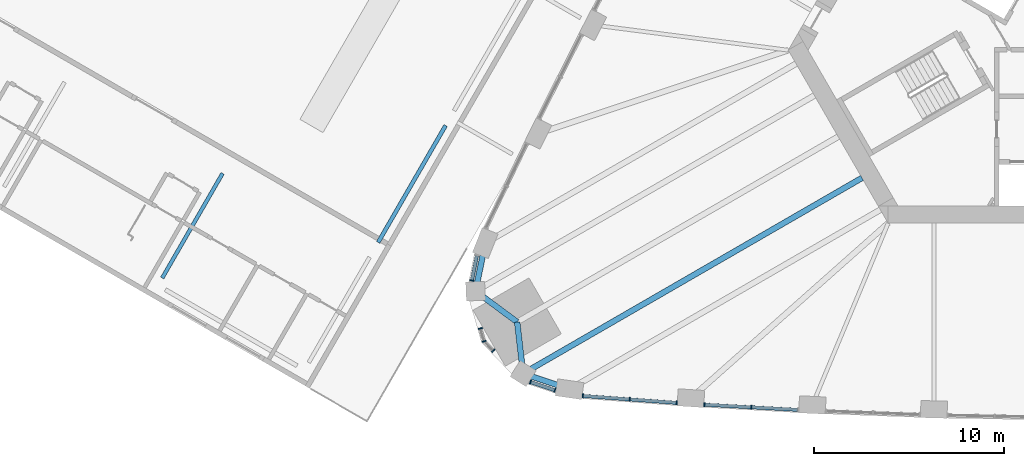
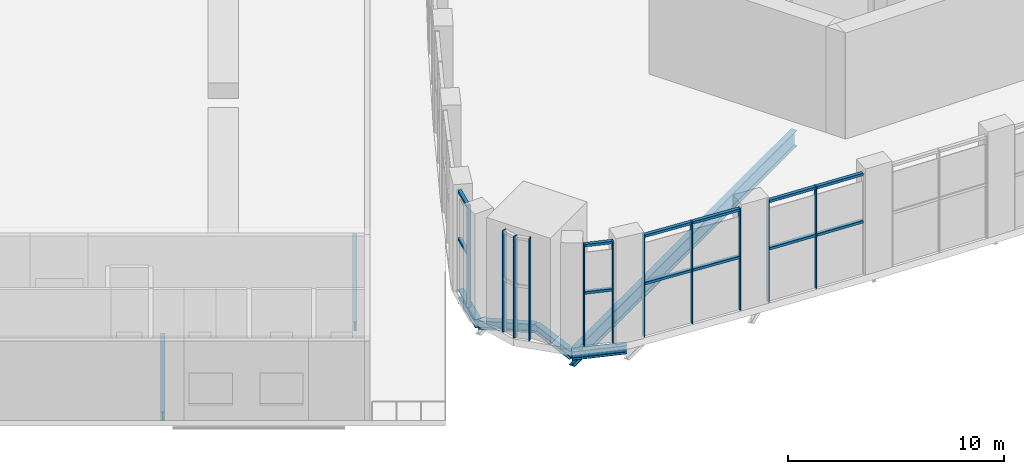
# One storey, part 2 of 41: 23 members, 7 beams, 2 elements without a shape of their own.
"""IFC4 building model written with IfcOpenShell, lengths in metres."""

from ifc_helpers import new_model, si_unit, direction, frame, origin, origin_2d, place, context, subcontext, project, spatial, rectangle, i_section, extrude, material, material_profile, profile_set, type_object, element, aggregate, save


model = new_model("IFC4")

# Units and contexts
model_context = context("Model", 3, precision=1e-05, world=origin(), true_north=direction((0.0, 1.0)))
body_context = subcontext(model_context, "Body", "Model", "MODEL_VIEW")
ifc_project = project(units=[si_unit("LENGTHUNIT", "METRE"), si_unit("AREAUNIT", "SQUARE_METRE"), si_unit("VOLUMEUNIT", "CUBIC_METRE"), si_unit("PLANEANGLEUNIT", "RADIAN"), si_unit("MASSUNIT", "GRAM", prefix="KILO")], contexts=[model_context])

# Site, building, storey
site_placement = place(None, origin())
site = spatial("IfcSite", under=ifc_project, at=site_placement, CompositionType="ELEMENT")
building_placement = place(site_placement, origin())
building = spatial("IfcBuilding", under=site, at=building_placement, Name="Mestral Congress Tower", CompositionType="ELEMENT")
storey_placement = place(building_placement, frame((0.0, 0.0, 21.60009765625)))
storey = spatial("IfcBuildingStorey", under=building, at=storey_placement, Name="L04", CompositionType="ELEMENT", Elevation=21.60009765625)

# Curtain wall, members
ifc_material_1 = material(Name="Clear low-emissivity double glazing", Category="glass")
curtain_wall_type = type_object("IfcCurtainWallType", Name="Facade arrival lobby curtain wall", PredefinedType="USERDEFINED", material=ifc_material_1)
placement = place(storey_placement, origin())
curtain_wall_1 = element("IfcCurtainWall", 1, at=placement, inside=storey, type_object=curtain_wall_type, Name="Facade arrival lobby curtain wall face 1", ObjectType="CURTAIN WALL", PredefinedType="USERDEFINED")
ifc_material_2 = material(Name="Anodised aluminium", Category="aluminium")
ifc_material_profile_1 = material_profile(ifc_material_2, rectangle(XDim=0.219970703125, YDim=0.06005859375, at=origin_2d()), Name="CW4 mullion 220 x 60")
ifc_profile_set_1 = profile_set([ifc_material_profile_1], Name="Anodised aluminium")
member_type_1 = type_object("IfcMemberType", Name="Facade arrival lobby curtain wall mullion", PredefinedType="MULLION", material=ifc_profile_set_1)
member_1_placement = place(storey_placement, frame((-28.0673828125, -22.08349609375, 0.0), z_axis=(0.0, 0.0, 1.0), x_axis=(-0.073878738281, -0.997267232005, 0.0)))
member_1 = element("IfcMember", 2, at=member_1_placement, type_object=member_type_1, Name="Facade arrival lobby curtain wall mullion", PredefinedType="MULLION", context=body_context, shape_type="SweptSolid", body=[
    extrude(rectangle(XDim=0.219970703125, YDim=0.06005859375, at=origin_2d()), origin(), (0.0, 0.0, 1.0), 5.75),
])
member_2_placement = place(storey_placement, frame((-25.6015625, -22.26611328125, 0.0), z_axis=(0.0, 0.0, 1.0), x_axis=(-0.073878738281, -0.997267232005, 0.0)))
member_2 = element("IfcMember", 3, at=member_2_placement, type_object=member_type_1, Name="Facade arrival lobby curtain wall mullion", PredefinedType="MULLION", context=body_context, shape_type="SweptSolid", body=[
    extrude(rectangle(XDim=0.219970703125, YDim=0.06005859375, at=origin_2d()), origin(), (0.0, 0.0, 1.0), 5.75),
])
member_3_placement = place(storey_placement, frame((-23.135498046875, -22.44873046875, 0.0), z_axis=(0.0, 0.0, 1.0), x_axis=(-0.073878738281, -0.997267232005, 0.0)))
member_3 = element("IfcMember", 4, at=member_3_placement, type_object=member_type_1, Name="Facade arrival lobby curtain wall mullion", PredefinedType="MULLION", context=body_context, shape_type="SweptSolid", body=[
    extrude(rectangle(XDim=0.219970703125, YDim=0.06005859375, at=origin_2d()), origin(), (0.0, 0.0, 1.0), 5.75),
])
member_4_placement = place(storey_placement, frame((-21.67138671875, -22.543701171875, 0.0), z_axis=(0.0, 0.0, 1.0), x_axis=(-0.055427671282, -0.99846270499, 0.0)))
member_4 = element("IfcMember", 5, at=member_4_placement, type_object=member_type_1, Name="Facade arrival lobby curtain wall mullion", PredefinedType="MULLION", context=body_context, shape_type="SweptSolid", body=[
    extrude(rectangle(XDim=0.219970703125, YDim=0.06005859375, at=origin_2d()), origin(), (0.0, 0.0, 1.0), 5.75),
])
member_5_placement = place(storey_placement, frame((-19.2060546875, -22.680419921875, 0.0), z_axis=(0.0, 0.0, 1.0), x_axis=(-0.055427671282, -0.99846270499, 0.0)))
member_5 = element("IfcMember", 6, at=member_5_placement, type_object=member_type_1, Name="Facade arrival lobby curtain wall mullion", PredefinedType="MULLION", context=body_context, shape_type="SweptSolid", body=[
    extrude(rectangle(XDim=0.219970703125, YDim=0.06005859375, at=origin_2d()), origin(), (0.0, 0.0, 1.0), 5.75),
])

curtain_wall_2 = element("IfcCurtainWall", 7, at=placement, inside=storey, type_object=curtain_wall_type, Name="Facade arrival lobby curtain wall corner 3", ObjectType="CURTAIN WALL", PredefinedType="USERDEFINED")
member_6_placement = place(storey_placement, frame((-33.906494140625, -16.015380859375, 0.0), z_axis=(0.0, 0.0, 1.0), x_axis=(-0.980186219896, 0.198078202553, 0.0)))
member_6 = element("IfcMember", 8, at=member_6_placement, type_object=member_type_1, Name="Facade arrival lobby curtain wall mullion", PredefinedType="MULLION", context=body_context, shape_type="SweptSolid", body=[
    extrude(rectangle(XDim=0.219970703125, YDim=0.06005859375, at=origin_2d()), origin(), (0.0, 0.0, 1.0), 5.75),
])
member_7_placement = place(storey_placement, frame((-33.45654296875, -18.53466796875, 0.0), z_axis=(0.0, 0.0, 1.0), x_axis=(-0.960332630823, -0.278857021027, 0.0)))
member_7 = element("IfcMember", 9, at=member_7_placement, type_object=member_type_1, Name="Facade arrival lobby curtain wall mullion", PredefinedType="MULLION", context=body_context, shape_type="SweptSolid", body=[
    extrude(rectangle(XDim=0.219970703125, YDim=0.06005859375, at=origin_2d()), origin(), (0.0, 0.0, 1.0), 5.75),
])
member_8_placement = place(storey_placement, frame((-33.26025390625, -19.210693359375, 0.0), z_axis=(0.0, 0.0, 1.0), x_axis=(-0.960332630823, -0.278857021027, 0.0)))
member_8 = element("IfcMember", 10, at=member_8_placement, type_object=member_type_1, Name="Facade arrival lobby curtain wall mullion", PredefinedType="MULLION", context=body_context, shape_type="SweptSolid", body=[
    extrude(rectangle(XDim=0.219970703125, YDim=0.06005859375, at=origin_2d()), origin(), (0.0, 0.0, 1.0), 5.75),
])
member_9_placement = place(storey_placement, frame((-32.77978515625, -19.706787109375, 0.0), z_axis=(0.0, 0.0, 1.0), x_axis=(-0.721656330444, -0.692251501068, 0.0)))
member_9 = element("IfcMember", 11, at=member_9_placement, type_object=member_type_1, Name="Facade arrival lobby curtain wall mullion", PredefinedType="MULLION", context=body_context, shape_type="SweptSolid", body=[
    extrude(rectangle(XDim=0.219970703125, YDim=0.06005859375, at=origin_2d()), origin(), (0.0, 0.0, 1.0), 5.75),
])
member_10_placement = place(storey_placement, frame((-30.822998046875, -21.356201171875, 0.0), z_axis=(0.0, 0.0, 1.0), x_axis=(-0.318554009007, -0.947904712165, 0.0)))
member_10 = element("IfcMember", 12, at=member_10_placement, type_object=member_type_1, Name="Facade arrival lobby curtain wall mullion", PredefinedType="MULLION", context=body_context, shape_type="SweptSolid", body=[
    extrude(rectangle(XDim=0.219970703125, YDim=0.06005859375, at=origin_2d()), origin(), (0.0, 0.0, 1.0), 5.75),
])
member_11_placement = place(storey_placement, frame((-29.53857421875, -21.787841796875, 0.0), z_axis=(0.0, 0.0, 1.0), x_axis=(-0.318554009007, -0.947904712165, 0.0)))
member_11 = element("IfcMember", 13, at=member_11_placement, type_object=member_type_1, Name="Facade arrival lobby curtain wall mullion", PredefinedType="MULLION", context=body_context, shape_type="SweptSolid", body=[
    extrude(rectangle(XDim=0.219970703125, YDim=0.06005859375, at=origin_2d()), origin(), (0.0, 0.0, 1.0), 5.75),
])

# Member
ifc_material_profile_2 = material_profile(ifc_material_2, rectangle(XDim=0.179931640625, YDim=0.139892578125, at=origin_2d()), Name="CW4 transom 180 x 140")
ifc_profile_set_2 = profile_set([ifc_material_profile_2], Name="Anodised aluminium")
member_type_2 = type_object("IfcMemberType", Name="Facade arrival lobby curtain wall transom", PredefinedType="USERDEFINED", material=ifc_profile_set_2)
member_12_placement = place(storey_placement, frame((-28.03759765625, -22.085693359375, 3.0), z_axis=(0.997268306592, -0.073864231312, 0.0), x_axis=(0.073864231312, 0.997268306592, 0.0)))
member_12 = element("IfcMember", 14, at=member_12_placement, type_object=member_type_2, Name="Facade arrival lobby curtain wall transom", ObjectType="TRANSOM", PredefinedType="USERDEFINED", context=body_context, shape_type="SweptSolid", body=[
    extrude(rectangle(XDim=0.179931640625, YDim=0.139892578125, at=origin_2d()), origin(), (0.0, 0.0, 1.0), 2.412841796875),
])

member_13_placement = place(storey_placement, frame((-28.03759765625, -22.085693359375, 5.679931640625), z_axis=(0.997268306592, -0.073864231312, 0.0), x_axis=(0.073864231312, 0.997268306592, 0.0)))
member_13 = element("IfcMember", 15, at=member_13_placement, type_object=member_type_2, Name="Facade arrival lobby curtain wall transom", ObjectType="TRANSOM", PredefinedType="USERDEFINED", context=body_context, shape_type="SweptSolid", body=[
    extrude(rectangle(XDim=0.179931640625, YDim=0.139892578125, at=origin_2d()), origin(), (0.0, 0.0, 1.0), 2.412841796875),
])

member_14_placement = place(storey_placement, frame((-25.571533203125, -22.268310546875, 3.0), z_axis=(0.997268306592, -0.073864231312, 0.0), x_axis=(0.073864231312, 0.997268306592, 0.0)))
member_14 = element("IfcMember", 16, at=member_14_placement, type_object=member_type_2, Name="Facade arrival lobby curtain wall transom", ObjectType="TRANSOM", PredefinedType="USERDEFINED", context=body_context, shape_type="SweptSolid", body=[
    extrude(rectangle(XDim=0.179931640625, YDim=0.139892578125, at=origin_2d()), origin(), (0.0, 0.0, 1.0), 2.412841796875),
])

member_15_placement = place(storey_placement, frame((-25.571533203125, -22.268310546875, 5.679931640625), z_axis=(0.997268306592, -0.073864231312, 0.0), x_axis=(0.073864231312, 0.997268306592, 0.0)))
member_15 = element("IfcMember", 17, at=member_15_placement, type_object=member_type_2, Name="Facade arrival lobby curtain wall transom", ObjectType="TRANSOM", PredefinedType="USERDEFINED", context=body_context, shape_type="SweptSolid", body=[
    extrude(rectangle(XDim=0.179931640625, YDim=0.139892578125, at=origin_2d()), origin(), (0.0, 0.0, 1.0), 2.412841796875),
])

member_16_placement = place(storey_placement, frame((-21.641357421875, -22.54541015625, 3.0), z_axis=(0.998462535052, -0.055430732434, 0.0), x_axis=(0.055430732434, 0.998462535052, 0.0)))
member_16 = element("IfcMember", 18, at=member_16_placement, type_object=member_type_2, Name="Facade arrival lobby curtain wall transom", ObjectType="TRANSOM", PredefinedType="USERDEFINED", context=body_context, shape_type="SweptSolid", body=[
    extrude(rectangle(XDim=0.179931640625, YDim=0.139892578125, at=origin_2d()), origin(), (0.0, 0.0, 1.0), 2.4091796875),
])

member_17_placement = place(storey_placement, frame((-21.641357421875, -22.54541015625, 5.679931640625), z_axis=(0.998462535052, -0.055430732434, 0.0), x_axis=(0.055430732434, 0.998462535052, 0.0)))
member_17 = element("IfcMember", 19, at=member_17_placement, type_object=member_type_2, Name="Facade arrival lobby curtain wall transom", ObjectType="TRANSOM", PredefinedType="USERDEFINED", context=body_context, shape_type="SweptSolid", body=[
    extrude(rectangle(XDim=0.179931640625, YDim=0.139892578125, at=origin_2d()), origin(), (0.0, 0.0, 1.0), 2.4091796875),
])

member_18_placement = place(storey_placement, frame((-19.176025390625, -22.68212890625, 3.0), z_axis=(0.998462535052, -0.055430732434, 0.0), x_axis=(0.055430732434, 0.998462535052, 0.0)))
member_18 = element("IfcMember", 20, at=member_18_placement, type_object=member_type_2, Name="Facade arrival lobby curtain wall transom", ObjectType="TRANSOM", PredefinedType="USERDEFINED", context=body_context, shape_type="SweptSolid", body=[
    extrude(rectangle(XDim=0.179931640625, YDim=0.139892578125, at=origin_2d()), origin(), (0.0, 0.0, 1.0), 2.4091796875),
])

member_19_placement = place(storey_placement, frame((-19.176025390625, -22.68212890625, 5.679931640625), z_axis=(0.998462535052, -0.055430732434, 0.0), x_axis=(0.055430732434, 0.998462535052, 0.0)))
member_19 = element("IfcMember", 21, at=member_19_placement, type_object=member_type_2, Name="Facade arrival lobby curtain wall transom", ObjectType="TRANSOM", PredefinedType="USERDEFINED", context=body_context, shape_type="SweptSolid", body=[
    extrude(rectangle(XDim=0.179931640625, YDim=0.139892578125, at=origin_2d()), origin(), (0.0, 0.0, 1.0), 2.4091796875),
])

aggregate(curtain_wall_1, [member_1, member_2, member_3, member_12, member_13, member_14, member_15, member_4, member_5, member_16, member_17, member_18, member_19])

member_20_placement = place(storey_placement, frame((-33.64404296875, -14.716796875, 3.0), z_axis=(-0.198182670866, -0.980165102913, 0.0), x_axis=(0.980165102913, -0.198182670866, 0.0)))
member_20 = element("IfcMember", 22, at=member_20_placement, type_object=member_type_2, Name="Facade arrival lobby curtain wall transom", ObjectType="TRANSOM", PredefinedType="USERDEFINED", context=body_context, shape_type="SweptSolid", body=[
    extrude(rectangle(XDim=0.179931640625, YDim=0.139892578125, at=origin_2d()), origin(), (0.0, 0.0, 1.0), 1.294677734375),
])

member_21_placement = place(storey_placement, frame((-33.64404296875, -14.716796875, 5.679931640625), z_axis=(-0.198182670866, -0.980165102913, 0.0), x_axis=(0.980165102913, -0.198182670866, 0.0)))
member_21 = element("IfcMember", 23, at=member_21_placement, type_object=member_type_2, Name="Facade arrival lobby curtain wall transom", ObjectType="TRANSOM", PredefinedType="USERDEFINED", context=body_context, shape_type="SweptSolid", body=[
    extrude(rectangle(XDim=0.179931640625, YDim=0.139892578125, at=origin_2d()), origin(), (0.0, 0.0, 1.0), 1.294677734375),
])

member_22_placement = place(storey_placement, frame((-30.79443359375, -21.365966796875, 3.0), z_axis=(0.947945453696, -0.318432750854, 0.0), x_axis=(0.318432750854, 0.947945453696, 0.0)))
member_22 = element("IfcMember", 24, at=member_22_placement, type_object=member_type_2, Name="Facade arrival lobby curtain wall transom", ObjectType="TRANSOM", PredefinedType="USERDEFINED", context=body_context, shape_type="SweptSolid", body=[
    extrude(rectangle(XDim=0.179931640625, YDim=0.139892578125, at=origin_2d()), origin(), (0.0, 0.0, 1.0), 1.294921875),
])

member_23_placement = place(storey_placement, frame((-30.79443359375, -21.365966796875, 5.679931640625), z_axis=(0.947945453696, -0.318432750854, 0.0), x_axis=(0.318432750854, 0.947945453696, 0.0)))
member_23 = element("IfcMember", 25, at=member_23_placement, type_object=member_type_2, Name="Facade arrival lobby curtain wall transom", ObjectType="TRANSOM", PredefinedType="USERDEFINED", context=body_context, shape_type="SweptSolid", body=[
    extrude(rectangle(XDim=0.179931640625, YDim=0.139892578125, at=origin_2d()), origin(), (0.0, 0.0, 1.0), 1.294921875),
])

aggregate(curtain_wall_2, [member_6, member_20, member_21, member_7, member_8, member_9, member_10, member_11, member_22, member_23])

# Beams
ifc_material_3 = material(Name="Steel S355", Category="steel")
ifc_material_profile_3 = material_profile(ifc_material_3, i_section(OverallWidth=0.300048828125, OverallDepth=0.89990234375, WebThickness=0.0185546875, FlangeThickness=0.034912109375, FilletRadius=0.030029296875, at=origin_2d()), Name="HEB 900")
ifc_profile_set_3 = profile_set([ifc_material_profile_3], Name="Steel S355")
beam_type_1 = type_object("IfcBeamType", Name="Floor beam HEB 900 S355", PredefinedType="BEAM", material=ifc_profile_set_3)
beam_1_placement = place(storey_placement, frame((-31.210205078125, -20.90966796875, -0.85009765625), z_axis=(0.866026584559, 0.499997954832, 0.0), x_axis=(-0.499997954832, 0.866026584559, 0.0)))
element("IfcBeam", 26, at=beam_1_placement, inside=storey, type_object=beam_type_1, Name="BM-L04-RB1-SW3", PredefinedType="BEAM", context=body_context, shape_type="SweptSolid", body=[
    extrude(i_section(OverallWidth=0.300048828125, OverallDepth=0.89990234375, WebThickness=0.0185546875, FlangeThickness=0.034912109375, FilletRadius=0.030029296875, at=origin_2d()), origin(), (0.0, 0.0, 1.0), 20.58349609375),
])
ifc_material_profile_4 = material_profile(ifc_material_3, i_section(OverallWidth=0.199951171875, OverallDepth=0.5, WebThickness=0.01025390625, FlangeThickness=0.01611328125, FilletRadius=0.02099609375, at=origin_2d()), Name="IPE 500")
ifc_profile_set_4 = profile_set([ifc_material_profile_4], Name="Steel S355")
beam_type_2 = type_object("IfcBeamType", Name="Floor beam IPE 500 S355", PredefinedType="BEAM", material=ifc_profile_set_4)
beam_2_placement = place(storey_placement, frame((-47.01806640625, -10.3818359375, -0.550048828125), z_axis=(-0.500005339912, -0.866022320763, 0.0), x_axis=(0.866022320763, -0.500005339912, 0.0)))
element("IfcBeam", 27, at=beam_2_placement, inside=storey, type_object=beam_type_2, Name="BM-L04-W-U10B", PredefinedType="BEAM", context=body_context, shape_type="SweptSolid", body=[
    extrude(i_section(OverallWidth=0.199951171875, OverallDepth=0.5, WebThickness=0.01025390625, FlangeThickness=0.01611328125, FilletRadius=0.02099609375, at=origin_2d()), origin(), (0.0, 0.0, 1.0), 6.35009765625),
])
ifc_material_profile_5 = material_profile(ifc_material_3, i_section(OverallWidth=0.2099609375, OverallDepth=0.550048828125, WebThickness=0.010986328125, FlangeThickness=0.01708984375, FilletRadius=0.02392578125, at=origin_2d()), Name="IPE 550")
ifc_profile_set_5 = profile_set([ifc_material_profile_5], Name="Steel S355")
beam_type_3 = type_object("IfcBeamType", Name="Floor beam IPE 550 S355", PredefinedType="BEAM", material=ifc_profile_set_5)
beam_3_placement = place(storey_placement, frame((-35.285400390625, -7.8603515625, -0.5751953125), z_axis=(-0.500011179042, -0.866018949465, 0.0), x_axis=(0.866018949465, -0.500011179042, 0.0)))
element("IfcBeam", 28, at=beam_3_placement, inside=storey, type_object=beam_type_3, Name="BM-L04-W-U09A", PredefinedType="BEAM", context=body_context, shape_type="SweptSolid", body=[
    extrude(i_section(OverallWidth=0.2099609375, OverallDepth=0.550048828125, WebThickness=0.010986328125, FlangeThickness=0.01708984375, FilletRadius=0.02392578125, at=origin_2d()), origin(), (0.0, 0.0, 1.0), 7.099853515625),
])
ifc_material_profile_6 = material_profile(ifc_material_3, i_section(OverallWidth=0.300048828125, OverallDepth=0.489990234375, WebThickness=0.011962890625, FlangeThickness=0.02294921875, FilletRadius=0.027099609375, at=origin_2d()), Name="HEA 500")
ifc_profile_set_6 = profile_set([ifc_material_profile_6], Name="Steel S355")
beam_type_4 = type_object("IfcBeamType", Name="Spandrel beam HEA 500 S355", PredefinedType="BEAM", material=ifc_profile_set_6)
beam_4_placement = place(storey_placement, frame((-33.202880859375, -14.04736328125, -0.64501953125), z_axis=(-0.198046458429, -0.980192634283, 0.0), x_axis=(0.980192634283, -0.198046458429, 0.0)))
element("IfcBeam", 29, at=beam_4_placement, inside=storey, type_object=beam_type_4, Name="SP-L04-SB1-W09", PredefinedType="BEAM", context=body_context, shape_type="SweptSolid", body=[
    extrude(i_section(OverallWidth=0.300048828125, OverallDepth=0.489990234375, WebThickness=0.011962890625, FlangeThickness=0.02294921875, FilletRadius=0.027099609375, at=origin_2d()), origin(), (0.0, 0.0, 1.0), 2.57763671875),
])
for number, where, z_axis, x_axis, name in (
    (30, (-33.71337890625, -16.573974609375, -0.64501953125), (0.803103553896, -0.59583947647, 0.0), (0.59583947647, 0.803103553896, 0.0), "SP-L04-SB1-SW1"),
    (31, (-31.5224609375, -18.199462890625, -0.64501953125), (0.114457668102, -0.993428126345, 0.0), (0.993428126345, 0.114457668102, 0.0), "SP-L04-SB1-SW"),
):
    element("IfcBeam", number, at=place(storey_placement, frame(where, z_axis=z_axis, x_axis=x_axis)), inside=storey, type_object=beam_type_4, Name=name, PredefinedType="BEAM", context=body_context, shape_type="SweptSolid", body=[
        extrude(i_section(OverallWidth=0.300048828125, OverallDepth=0.489990234375, WebThickness=0.011962890625, FlangeThickness=0.02294921875, FilletRadius=0.027099609375, at=origin_2d()), origin(), (0.0, 0.0, 1.0), 2.72802734375),
    ])
beam_5_placement = place(storey_placement, frame((-31.210205078125, -20.90966796875, -0.64501953125), z_axis=(0.947913310096, -0.318528423446, 0.0), x_axis=(0.318528423446, 0.947913310096, 0.0)))
element("IfcBeam", 32, at=beam_5_placement, inside=storey, type_object=beam_type_4, Name="SP-L04-SB1-SW3", PredefinedType="BEAM", context=body_context, shape_type="SweptSolid", body=[
    extrude(i_section(OverallWidth=0.300048828125, OverallDepth=0.489990234375, WebThickness=0.011962890625, FlangeThickness=0.02294921875, FilletRadius=0.027099609375, at=origin_2d()), origin(), (0.0, 0.0, 1.0), 2.57763671875),
])

save(model, "model.ifc")
